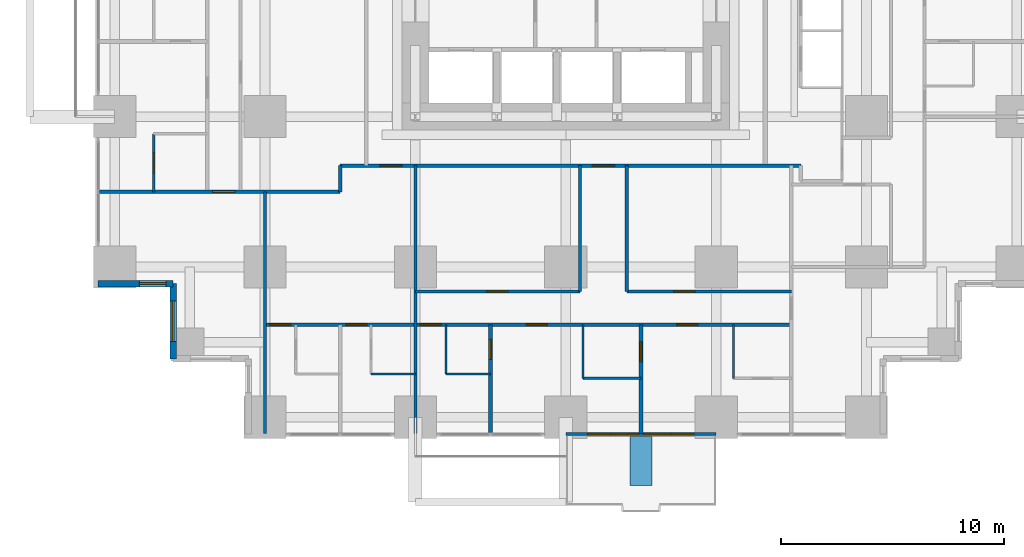
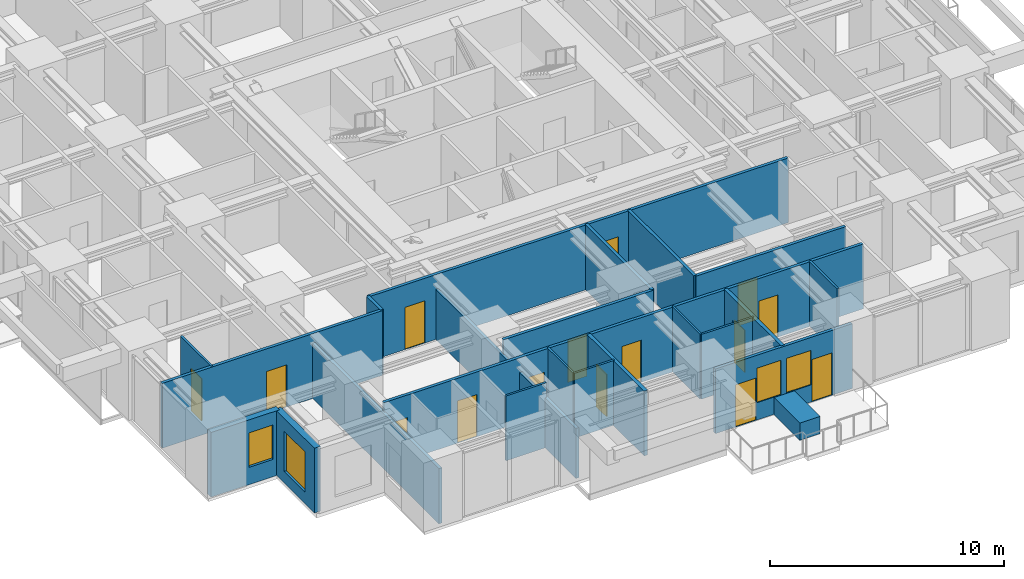
# One storey, part 8 of 14: 23 walls, 15 doors, 4 windows, 19 openings.
"""IFC4 building model written with IfcOpenShell, lengths in metres."""

from ifc_helpers import new_model, si_unit, direction, frame, frame_2d, origin, place, context, subcontext, project, spatial, rectangle, extrude, material, layer, layer_set, type_object, element, fill, save


model = new_model("IFC4")

# Units and contexts
model_context = context("Model", 3, precision=1e-05, world=origin(), true_north=direction((0.0, 1.0)))
body_context = subcontext(model_context, "Body", "Model", "MODEL_VIEW")
ifc_project = project(units=[si_unit("LENGTHUNIT", "METRE"), si_unit("AREAUNIT", "SQUARE_METRE"), si_unit("VOLUMEUNIT", "CUBIC_METRE"), si_unit("PLANEANGLEUNIT", "RADIAN"), si_unit("MASSUNIT", "GRAM", prefix="KILO")], contexts=[model_context])

# Site, building, storey
site_placement = place(None, origin())
site = spatial("IfcSite", under=ifc_project, at=site_placement, CompositionType="ELEMENT")
building_placement = place(site_placement, origin())
building = spatial("IfcBuilding", under=site, at=building_placement, Name="Nyansa Garden Tower", CompositionType="ELEMENT")
storey_placement = place(building_placement, frame((0.0, 0.0, 28.800048828125)))
storey = spatial("IfcBuildingStorey", under=building, at=storey_placement, Name="L07", CompositionType="ELEMENT", Elevation=28.800048828125)

# Wall, opening, door
ifc_material_1 = material(Name="Dense blockwork, plastered both sides, 55 dB", Category="masonry")
ifc_layer_1 = layer(ifc_material_1, 0.175048828125)
ifc_layer_set_1 = layer_set([ifc_layer_1], Name="Acoustic party wall PW175")
wall_type_1 = type_object("IfcWallType", Name="Acoustic party wall PW175", PredefinedType="PARTITIONING", material=ifc_layer_set_1)
wall_1_placement = place(storey_placement, frame((16.875, -0.73388671875, 0.0), z_axis=(0.0, 0.0, 1.0), x_axis=(0.0, 1.0, 0.0)))
wall_1 = element("IfcWall", 1, at=wall_1_placement, inside=storey, type_object=wall_type_1, Name="Party wall", PredefinedType="PARTITIONING", context=body_context, shape_type="SweptSolid", body=[
    extrude(rectangle(XDim=4.8837890625, YDim=0.175048828125, at=frame_2d((2.44189453125, 0.0))), origin(), (0.0, 0.0, 1.0), 3.375),
])
opening_1_placement = place(wall_1_placement, frame((3.333984375, 0.0, 0.0)))
opening_1 = element("IfcOpeningElement", 2, at=opening_1_placement, cuts=wall_1, Name="Opening D02", PredefinedType="OPENING", context=body_context, shape_type="SweptSolid", body=[
    extrude(rectangle(XDim=0.89990234375, YDim=2.199951171875, at=frame_2d((0.449951171875, 1.10009765625))), frame((0.0, 0.097412109375, 0.0), z_axis=(0.0, -1.0, 0.0), x_axis=(1.0, 0.0, 0.0)), (0.0, 0.0, 1.0), 0.195068359375),
])
ifc_material_2 = material(Name="Timber flush door", Category="wood")
door_type_1 = type_object("IfcDoorType", Name="En-suite door D02 900x2200", OperationType="SINGLE_SWING_RIGHT", PredefinedType="DOOR", material=ifc_material_2)
door_1_placement = place(opening_1_placement, origin())
door_1 = element("IfcDoor", 3, at=door_1_placement, inside=storey, type_object=door_type_1, Name="Door L07-028", OperationType="SINGLE_SWING_RIGHT", OverallHeight=2.199951171875, OverallWidth=0.89990234375, PredefinedType="DOOR", context=body_context, shape_type="SweptSolid", body=[
    extrude(rectangle(XDim=0.89990234375, YDim=2.199951171875, at=frame_2d((0.449951171875, 1.10009765625))), frame((0.0, 0.02490234375, 0.0), z_axis=(0.0, -1.0, 0.0), x_axis=(1.0, 0.0, 0.0)), (0.0, 0.0, 1.0), 0.050048828125),
])
fill(opening_1, door_1)

wall_2_placement = place(storey_placement, frame((23.625, -0.73388671875, 0.0), z_axis=(0.0, 0.0, 1.0), x_axis=(0.0, 1.0, 0.0)))
wall_2 = element("IfcWall", 4, at=wall_2_placement, inside=storey, type_object=wall_type_1, Name="Party wall", PredefinedType="PARTITIONING", context=body_context, shape_type="SweptSolid", body=[
    extrude(rectangle(XDim=4.8837890625, YDim=0.175048828125, at=frame_2d((2.44189453125, 0.0))), origin(), (0.0, 0.0, 1.0), 3.375),
])
opening_2_placement = place(wall_2_placement, frame((3.23388671875, 0.0, 0.0)))
opening_2 = element("IfcOpeningElement", 5, at=opening_2_placement, cuts=wall_2, Name="Opening D02", PredefinedType="OPENING", context=body_context, shape_type="SweptSolid", body=[
    extrude(rectangle(XDim=0.89990234375, YDim=2.199951171875, at=frame_2d((0.449951171875, 1.10009765625))), frame((0.0, 0.097412109375, 0.0), z_axis=(0.0, -1.0, 0.0), x_axis=(1.0, 0.0, 0.0)), (0.0, 0.0, 1.0), 0.195068359375),
])
door_2_placement = place(opening_2_placement, origin())
door_2 = element("IfcDoor", 6, at=door_2_placement, inside=storey, type_object=door_type_1, Name="Door L07-026", OperationType="SINGLE_SWING_RIGHT", OverallHeight=2.199951171875, OverallWidth=0.89990234375, PredefinedType="DOOR", context=body_context, shape_type="SweptSolid", body=[
    extrude(rectangle(XDim=0.89990234375, YDim=2.199951171875, at=frame_2d((0.449951171875, 1.10009765625))), frame((0.0, 0.02490234375, 0.0), z_axis=(0.0, -1.0, 0.0), x_axis=(1.0, 0.0, 0.0)), (0.0, 0.0, 1.0), 0.050048828125),
])
fill(opening_2, door_2)

# Wall, openings, doors, windows
ifc_material_3 = material(Name="Black aluminium framed glazed screen", Category="aluminium")
ifc_layer_2 = layer(ifc_material_3, 0.14990234375)
ifc_layer_set_2 = layer_set([ifc_layer_2], Name="Balcony screen wall BW150")
wall_type_2 = type_object("IfcWallType", Name="Balcony screen wall BW150", PredefinedType="SOLIDWALL", material=ifc_layer_set_2)
wall_3_placement = place(storey_placement, frame((27.0, -0.75, 0.0), z_axis=(0.0, 0.0, 1.0), x_axis=(-1.0, 0.0, 0.0)))
wall_3 = element("IfcWall", 7, at=wall_3_placement, inside=storey, type_object=wall_type_2, Name="Glazed screen wall L07 S", PredefinedType="SOLIDWALL", context=body_context, shape_type="SweptSolid", body=[
    extrude(rectangle(XDim=6.75, YDim=0.14990234375, at=frame_2d((3.375, 0.0))), origin(), (0.0, 0.0, 1.0), 3.375),
])
opening_3_placement = place(wall_3_placement, frame((0.995849609375, 0.0, 0.0)))
opening_3 = element("IfcOpeningElement", 8, at=opening_3_placement, cuts=wall_3, Name="Opening D20", PredefinedType="OPENING", context=body_context, shape_type="SweptSolid", body=[
    extrude(rectangle(XDim=1.0, YDim=2.199951171875, at=frame_2d((0.5, 1.10009765625))), frame((0.0, 0.0849609375, 0.0), z_axis=(0.0, -1.0, 0.0), x_axis=(1.0, 0.0, 0.0)), (0.0, 0.0, 1.0), 0.169921875),
])
opening_4_placement = place(wall_3_placement, frame((2.041748046875, 0.0, 0.89990234375)))
opening_4 = element("IfcOpeningElement", 9, at=opening_4_placement, cuts=wall_3, Name="Opening W6", PredefinedType="OPENING", context=body_context, shape_type="SweptSolid", body=[
    extrude(rectangle(XDim=1.199951171875, YDim=1.800048828125, at=frame_2d((0.60009765625, 0.89990234375))), frame((0.0, 0.0849609375, 0.0), z_axis=(0.0, -1.0, 0.0), x_axis=(1.0, 0.0, 0.0)), (0.0, 0.0, 1.0), 0.169921875),
])
opening_5_placement = place(wall_3_placement, frame((4.754150390625, 0.0, 0.0)))
opening_5 = element("IfcOpeningElement", 10, at=opening_5_placement, cuts=wall_3, Name="Opening D20", PredefinedType="OPENING", context=body_context, shape_type="SweptSolid", body=[
    extrude(rectangle(XDim=1.0, YDim=2.199951171875, at=frame_2d((0.5, 1.10009765625))), frame((0.0, 0.0849609375, 0.0), z_axis=(0.0, -1.0, 0.0), x_axis=(1.0, 0.0, 0.0)), (0.0, 0.0, 1.0), 0.169921875),
])
opening_6_placement = place(wall_3_placement, frame((3.50830078125, 0.0, 0.89990234375)))
opening_6 = element("IfcOpeningElement", 11, at=opening_6_placement, cuts=wall_3, Name="Opening W6", PredefinedType="OPENING", context=body_context, shape_type="SweptSolid", body=[
    extrude(rectangle(XDim=1.199951171875, YDim=1.800048828125, at=frame_2d((0.60009765625, 0.89990234375))), frame((0.0, 0.0849609375, 0.0), z_axis=(0.0, -1.0, 0.0), x_axis=(1.0, 0.0, 0.0)), (0.0, 0.0, 1.0), 0.169921875),
])
ifc_material_4 = material(Name="Black aluminium framed glazed door", Category="aluminium")
door_type_2 = type_object("IfcDoorType", Name="Balcony door D20 1000x2200", OperationType="NOTDEFINED", PredefinedType="DOOR", material=ifc_material_4)
door_3_placement = place(opening_3_placement, origin())
door_3 = element("IfcDoor", 12, at=door_3_placement, inside=storey, type_object=door_type_2, Name="Balcony door L07", OperationType="SINGLE_SWING_LEFT", OverallHeight=2.199951171875, OverallWidth=1.0, PredefinedType="DOOR", context=body_context, shape_type="SweptSolid", body=[
    extrude(rectangle(XDim=1.0, YDim=2.199951171875, at=frame_2d((0.5, 1.10009765625))), frame((0.0, 0.02490234375, 0.0), z_axis=(0.0, -1.0, 0.0), x_axis=(1.0, 0.0, 0.0)), (0.0, 0.0, 1.0), 0.050048828125),
])
fill(opening_3, door_3)
door_4_placement = place(opening_5_placement, origin())
door_4 = element("IfcDoor", 13, at=door_4_placement, inside=storey, type_object=door_type_2, Name="Balcony door L07", OperationType="SINGLE_SWING_RIGHT", OverallHeight=2.199951171875, OverallWidth=1.0, PredefinedType="DOOR", context=body_context, shape_type="SweptSolid", body=[
    extrude(rectangle(XDim=1.0, YDim=2.199951171875, at=frame_2d((0.5, 1.10009765625))), frame((0.0, 0.02490234375, 0.0), z_axis=(0.0, -1.0, 0.0), x_axis=(1.0, 0.0, 0.0)), (0.0, 0.0, 1.0), 0.050048828125),
])
fill(opening_5, door_4)
ifc_material_5 = material(Name="Black aluminium frame, dark tinted double glazing", Category="aluminium")
window_type_1 = type_object("IfcWindowType", Name="Balcony window W6 1200x1800", PartitioningType="SINGLE_PANEL", PredefinedType="WINDOW", material=ifc_material_5)
window_1_placement = place(opening_4_placement, origin())
window_1 = element("IfcWindow", 14, at=window_1_placement, inside=storey, type_object=window_type_1, Name="Window L07", OverallHeight=1.800048828125, OverallWidth=1.199951171875, PartitioningType="SINGLE_PANEL", PredefinedType="WINDOW", context=body_context, shape_type="SweptSolid", body=[
    extrude(rectangle(XDim=1.199951171875, YDim=1.800048828125, at=frame_2d((0.60009765625, 0.89990234375))), frame((0.0, 0.030029296875, 0.0), z_axis=(0.0, -1.0, 0.0), x_axis=(1.0, 0.0, 0.0)), (0.0, 0.0, 1.0), 0.06005859375),
])
fill(opening_4, window_1)
window_2_placement = place(opening_6_placement, origin())
window_2 = element("IfcWindow", 15, at=window_2_placement, inside=storey, type_object=window_type_1, Name="Window L07", OverallHeight=1.800048828125, OverallWidth=1.199951171875, PartitioningType="SINGLE_PANEL", PredefinedType="WINDOW", context=body_context, shape_type="SweptSolid", body=[
    extrude(rectangle(XDim=1.199951171875, YDim=1.800048828125, at=frame_2d((0.60009765625, 0.89990234375))), frame((0.0, 0.030029296875, 0.0), z_axis=(0.0, -1.0, 0.0), x_axis=(1.0, 0.0, 0.0)), (0.0, 0.0, 1.0), 0.06005859375),
])
fill(opening_6, window_2)

# Wall, opening, door
ifc_material_6 = material(Name="Blockwork, plastered both sides", Category="masonry")
ifc_layer_3 = layer(ifc_material_6, 0.14990234375)
ifc_layer_set_3 = layer_set([ifc_layer_3], Name="Partition PW150")
wall_type_3 = type_object("IfcWallType", Name="Partition PW150", PredefinedType="PARTITIONING", material=ifc_layer_set_3)
wall_4_placement = place(storey_placement, frame((-0.73388671875, 10.125, 0.0), z_axis=(0.0, 0.0, 1.0), x_axis=(1.0, 0.0, 0.0)))
wall_4 = element("IfcWall", 16, at=wall_4_placement, inside=storey, type_object=wall_type_3, Name="Partition", PredefinedType="PARTITIONING", context=body_context, shape_type="SweptSolid", body=[
    extrude(rectangle(XDim=10.85888671875, YDim=0.14990234375, at=frame_2d((5.429443359375, 0.0))), origin(), (0.0, 0.0, 1.0), 3.375),
])
opening_7_placement = place(wall_4_placement, frame((5.134033203125, 0.0, 0.0)))
opening_7 = element("IfcOpeningElement", 17, at=opening_7_placement, cuts=wall_4, Name="Opening D03", PredefinedType="OPENING", context=body_context, shape_type="SweptSolid", body=[
    extrude(rectangle(XDim=1.0, YDim=2.199951171875, at=frame_2d((0.5, 1.10009765625))), frame((0.0, 0.0849609375, 0.0), z_axis=(0.0, -1.0, 0.0), x_axis=(1.0, 0.0, 0.0)), (0.0, 0.0, 1.0), 0.169921875),
])
ifc_material_7 = material(Name="Timber flush door, 60 minute fire resisting", Category="wood")
door_type_3 = type_object("IfcDoorType", Name="Cluster entrance door D03 1000x2200", OperationType="SINGLE_SWING_LEFT", PredefinedType="DOOR", material=ifc_material_7)
door_5_placement = place(opening_7_placement, origin())
door_5 = element("IfcDoor", 18, at=door_5_placement, inside=storey, type_object=door_type_3, Name="Door L07-017", OperationType="SINGLE_SWING_LEFT", OverallHeight=2.199951171875, OverallWidth=1.0, PredefinedType="DOOR", context=body_context, shape_type="SweptSolid", body=[
    extrude(rectangle(XDim=1.0, YDim=2.199951171875, at=frame_2d((0.5, 1.10009765625))), frame((0.0, 0.02490234375, 0.0), z_axis=(0.0, -1.0, 0.0), x_axis=(1.0, 0.0, 0.0)), (0.0, 0.0, 1.0), 0.050048828125),
])
fill(opening_7, door_5)

# Wall
wall_5_placement = place(storey_placement, frame((6.75, -0.73388671875, 0.0), z_axis=(0.0, 0.0, 1.0), x_axis=(0.0, 1.0, 0.0)))
element("IfcWall", 19, at=wall_5_placement, inside=storey, type_object=wall_type_3, Name="Partition", PredefinedType="PARTITIONING", context=body_context, shape_type="SweptSolid", body=[
    extrude(rectangle(XDim=10.85888671875, YDim=0.14990234375, at=frame_2d((5.429443359375, 0.0))), origin(), (0.0, 0.0, 1.0), 2.876953125),
])

# Wall, openings, doors
wall_6_placement = place(storey_placement, frame((6.75, 4.14990234375, 0.0), z_axis=(0.0, 0.0, 1.0), x_axis=(1.0, 0.0, 0.0)))
wall_6 = element("IfcWall", 20, at=wall_6_placement, inside=storey, type_object=wall_type_3, Name="Partition", PredefinedType="PARTITIONING", context=body_context, shape_type="SweptSolid", body=[
    extrude(rectangle(XDim=23.625, YDim=0.14990234375, at=frame_2d((11.8125, 0.0))), origin(), (0.0, 0.0, 1.0), 3.375),
])
opening_8_placement = place(wall_6_placement, frame((0.199951171875, 0.0, 0.0)))
opening_8 = element("IfcOpeningElement", 21, at=opening_8_placement, cuts=wall_6, Name="Opening D01", PredefinedType="OPENING", context=body_context, shape_type="SweptSolid", body=[
    extrude(rectangle(XDim=0.949951171875, YDim=2.199951171875, at=frame_2d((0.47509765625, 1.10009765625))), frame((0.0, 0.0849609375, 0.0), z_axis=(0.0, -1.0, 0.0), x_axis=(1.0, 0.0, 0.0)), (0.0, 0.0, 1.0), 0.169921875),
])
opening_9_placement = place(wall_6_placement, frame((3.625, 0.0, 0.0)))
opening_9 = element("IfcOpeningElement", 22, at=opening_9_placement, cuts=wall_6, Name="Opening D01", PredefinedType="OPENING", context=body_context, shape_type="SweptSolid", body=[
    extrude(rectangle(XDim=0.949951171875, YDim=2.199951171875, at=frame_2d((0.47509765625, 1.10009765625))), frame((0.0, 0.0849609375, 0.0), z_axis=(0.0, -1.0, 0.0), x_axis=(1.0, 0.0, 0.0)), (0.0, 0.0, 1.0), 0.169921875),
])
opening_10_placement = place(wall_6_placement, frame((18.47509765625, 0.0, 0.0)))
opening_10 = element("IfcOpeningElement", 23, at=opening_10_placement, cuts=wall_6, Name="Opening D14", PredefinedType="OPENING", context=body_context, shape_type="SweptSolid", body=[
    extrude(rectangle(XDim=0.949951171875, YDim=2.199951171875, at=frame_2d((0.47509765625, 1.10009765625))), frame((0.0, 0.0849609375, 0.0), z_axis=(0.0, -1.0, 0.0), x_axis=(1.0, 0.0, 0.0)), (0.0, 0.0, 1.0), 0.169921875),
])
opening_11_placement = place(wall_6_placement, frame((11.72509765625, 0.0, 0.0)))
opening_11 = element("IfcOpeningElement", 24, at=opening_11_placement, cuts=wall_6, Name="Opening D14", PredefinedType="OPENING", context=body_context, shape_type="SweptSolid", body=[
    extrude(rectangle(XDim=0.949951171875, YDim=2.199951171875, at=frame_2d((0.47509765625, 1.10009765625))), frame((0.0, 0.0849609375, 0.0), z_axis=(0.0, -1.0, 0.0), x_axis=(1.0, 0.0, 0.0)), (0.0, 0.0, 1.0), 0.169921875),
])
opening_12_placement = place(wall_6_placement, frame((6.949951171875, 0.0, 0.0)))
opening_12 = element("IfcOpeningElement", 25, at=opening_12_placement, cuts=wall_6, Name="Opening D14", PredefinedType="OPENING", context=body_context, shape_type="SweptSolid", body=[
    extrude(rectangle(XDim=0.949951171875, YDim=2.199951171875, at=frame_2d((0.47509765625, 1.10009765625))), frame((0.0, 0.0849609375, 0.0), z_axis=(0.0, -1.0, 0.0), x_axis=(1.0, 0.0, 0.0)), (0.0, 0.0, 1.0), 0.169921875),
])
ifc_material_8 = material(Name="Timber flush door, 30 minute fire resisting", Category="wood")
door_type_4 = type_object("IfcDoorType", Name="Bedroom door D01 950x2200", OperationType="SINGLE_SWING_LEFT", PredefinedType="DOOR", material=ifc_material_8)
door_6_placement = place(opening_8_placement, origin())
door_6 = element("IfcDoor", 26, at=door_6_placement, inside=storey, type_object=door_type_4, Name="Door L07-018", OperationType="SINGLE_SWING_LEFT", OverallHeight=2.199951171875, OverallWidth=0.949951171875, PredefinedType="DOOR", context=body_context, shape_type="SweptSolid", body=[
    extrude(rectangle(XDim=0.949951171875, YDim=2.199951171875, at=frame_2d((0.47509765625, 1.10009765625))), frame((0.0, 0.02490234375, 0.0), z_axis=(0.0, -1.0, 0.0), x_axis=(1.0, 0.0, 0.0)), (0.0, 0.0, 1.0), 0.050048828125),
])
fill(opening_8, door_6)
door_7_placement = place(opening_9_placement, origin())
door_7 = element("IfcDoor", 27, at=door_7_placement, inside=storey, type_object=door_type_4, Name="Door L07-020", OperationType="SINGLE_SWING_LEFT", OverallHeight=2.199951171875, OverallWidth=0.949951171875, PredefinedType="DOOR", context=body_context, shape_type="SweptSolid", body=[
    extrude(rectangle(XDim=0.949951171875, YDim=2.199951171875, at=frame_2d((0.47509765625, 1.10009765625))), frame((0.0, 0.02490234375, 0.0), z_axis=(0.0, -1.0, 0.0), x_axis=(1.0, 0.0, 0.0)), (0.0, 0.0, 1.0), 0.050048828125),
])
fill(opening_9, door_7)
ifc_material_9 = material(Name="Timber flush door, 60 minute fire resisting, self-closing", Category="wood")
door_type_5 = type_object("IfcDoorType", Name="Studio entrance door D14 950x2200", OperationType="SINGLE_SWING_LEFT", PredefinedType="DOOR", material=ifc_material_9)
door_8_placement = place(opening_10_placement, origin())
door_8 = element("IfcDoor", 28, at=door_8_placement, inside=storey, type_object=door_type_5, Name="Door L07-023", OperationType="SINGLE_SWING_LEFT", OverallHeight=2.199951171875, OverallWidth=0.949951171875, PredefinedType="DOOR", context=body_context, shape_type="SweptSolid", body=[
    extrude(rectangle(XDim=0.949951171875, YDim=2.199951171875, at=frame_2d((0.47509765625, 1.10009765625))), frame((0.0, 0.02490234375, 0.0), z_axis=(0.0, -1.0, 0.0), x_axis=(1.0, 0.0, 0.0)), (0.0, 0.0, 1.0), 0.050048828125),
])
fill(opening_10, door_8)
door_9_placement = place(opening_11_placement, origin())
door_9 = element("IfcDoor", 29, at=door_9_placement, inside=storey, type_object=door_type_5, Name="Door L07-025", OperationType="SINGLE_SWING_LEFT", OverallHeight=2.199951171875, OverallWidth=0.949951171875, PredefinedType="DOOR", context=body_context, shape_type="SweptSolid", body=[
    extrude(rectangle(XDim=0.949951171875, YDim=2.199951171875, at=frame_2d((0.47509765625, 1.10009765625))), frame((0.0, 0.02490234375, 0.0), z_axis=(0.0, -1.0, 0.0), x_axis=(1.0, 0.0, 0.0)), (0.0, 0.0, 1.0), 0.050048828125),
])
fill(opening_11, door_9)
door_10_placement = place(opening_12_placement, origin())
door_10 = element("IfcDoor", 30, at=door_10_placement, inside=storey, type_object=door_type_5, Name="Door L07-027", OperationType="SINGLE_SWING_LEFT", OverallHeight=2.199951171875, OverallWidth=0.949951171875, PredefinedType="DOOR", context=body_context, shape_type="SweptSolid", body=[
    extrude(rectangle(XDim=0.949951171875, YDim=2.199951171875, at=frame_2d((0.47509765625, 1.10009765625))), frame((0.0, 0.02490234375, 0.0), z_axis=(0.0, -1.0, 0.0), x_axis=(1.0, 0.0, 0.0)), (0.0, 0.0, 1.0), 0.050048828125),
])
fill(opening_12, door_10)

# Wall
wall_7_placement = place(storey_placement, frame((10.125, 10.125, 0.0), z_axis=(0.0, 0.0, 1.0), x_axis=(0.0, 1.0, 0.0)))
element("IfcWall", 31, at=wall_7_placement, inside=storey, type_object=wall_type_3, Name="Partition", PredefinedType="PARTITIONING", context=body_context, shape_type="SweptSolid", body=[
    extrude(rectangle(XDim=1.175048828125, YDim=0.14990234375, at=frame_2d((0.58740234375, 0.0))), origin(), (0.0, 0.0, 1.0), 3.375),
])

# Wall, openings, doors
wall_8_placement = place(storey_placement, frame((10.125, 11.300048828125, 0.0), z_axis=(0.0, 0.0, 1.0), x_axis=(1.0, 0.0, 0.0)))
wall_8 = element("IfcWall", 32, at=wall_8_placement, inside=storey, type_object=wall_type_3, Name="Partition", PredefinedType="PARTITIONING", context=body_context, shape_type="SweptSolid", body=[
    extrude(rectangle(XDim=20.675048828125, YDim=0.14990234375, at=frame_2d((10.33740234375, 0.0))), origin(), (0.0, 0.0, 1.0), 3.375),
])
opening_13_placement = place(wall_8_placement, frame((1.77490234375, 0.0, 0.0)))
opening_13 = element("IfcOpeningElement", 33, at=opening_13_placement, cuts=wall_8, Name="Opening D03", PredefinedType="OPENING", context=body_context, shape_type="SweptSolid", body=[
    extrude(rectangle(XDim=1.0, YDim=2.199951171875, at=frame_2d((0.5, 1.10009765625))), frame((0.0, 0.0849609375, 0.0), z_axis=(0.0, -1.0, 0.0), x_axis=(1.0, 0.0, 0.0)), (0.0, 0.0, 1.0), 0.169921875),
])
opening_14_placement = place(wall_8_placement, frame((11.3125, 0.0, 0.0)))
opening_14 = element("IfcOpeningElement", 34, at=opening_14_placement, cuts=wall_8, Name="Opening D03", PredefinedType="OPENING", context=body_context, shape_type="SweptSolid", body=[
    extrude(rectangle(XDim=1.0, YDim=2.199951171875, at=frame_2d((0.5, 1.10009765625))), frame((0.0, 0.0849609375, 0.0), z_axis=(0.0, -1.0, 0.0), x_axis=(1.0, 0.0, 0.0)), (0.0, 0.0, 1.0), 0.169921875),
])
door_11_placement = place(opening_13_placement, origin())
door_11 = element("IfcDoor", 35, at=door_11_placement, inside=storey, type_object=door_type_3, Name="Door L07-022", OperationType="SINGLE_SWING_LEFT", OverallHeight=2.199951171875, OverallWidth=1.0, PredefinedType="DOOR", context=body_context, shape_type="SweptSolid", body=[
    extrude(rectangle(XDim=1.0, YDim=2.199951171875, at=frame_2d((0.5, 1.10009765625))), frame((0.0, 0.02490234375, 0.0), z_axis=(0.0, -1.0, 0.0), x_axis=(1.0, 0.0, 0.0)), (0.0, 0.0, 1.0), 0.050048828125),
])
fill(opening_13, door_11)
door_12_placement = place(opening_14_placement, origin())
door_12 = element("IfcDoor", 36, at=door_12_placement, inside=storey, type_object=door_type_3, Name="Door L07-029", OperationType="SINGLE_SWING_LEFT", OverallHeight=2.199951171875, OverallWidth=1.0, PredefinedType="DOOR", context=body_context, shape_type="SweptSolid", body=[
    extrude(rectangle(XDim=1.0, YDim=2.199951171875, at=frame_2d((0.5, 1.10009765625))), frame((0.0, 0.02490234375, 0.0), z_axis=(0.0, -1.0, 0.0), x_axis=(1.0, 0.0, 0.0)), (0.0, 0.0, 1.0), 0.050048828125),
])
fill(opening_14, door_12)

# Wall
wall_9_placement = place(storey_placement, frame((13.5, -0.73388671875, 0.0), z_axis=(0.0, 0.0, 1.0), x_axis=(0.0, 1.0, 0.0)))
element("IfcWall", 37, at=wall_9_placement, inside=storey, type_object=wall_type_3, Name="Partition", PredefinedType="PARTITIONING", context=body_context, shape_type="SweptSolid", body=[
    extrude(rectangle(XDim=12.033935546875, YDim=0.14990234375, at=frame_2d((6.01708984375, 0.0))), origin(), (0.0, 0.0, 1.0), 2.60986328125),
])

# Wall, opening, door
wall_10_placement = place(storey_placement, frame((13.5, 5.64990234375, 0.0), z_axis=(0.0, 0.0, 1.0), x_axis=(1.0, 0.0, 0.0)))
wall_10 = element("IfcWall", 38, at=wall_10_placement, inside=storey, type_object=wall_type_3, Name="Partition", PredefinedType="PARTITIONING", context=body_context, shape_type="SweptSolid", body=[
    extrude(rectangle(XDim=7.387451171875, YDim=0.14990234375, at=frame_2d((3.69384765625, 0.0))), origin(), (0.0, 0.0, 1.0), 3.375),
])
opening_15_placement = place(wall_10_placement, frame((3.199951171875, 0.0, 0.0)))
opening_15 = element("IfcOpeningElement", 39, at=opening_15_placement, cuts=wall_10, Name="Opening D01", PredefinedType="OPENING", context=body_context, shape_type="SweptSolid", body=[
    extrude(rectangle(XDim=0.949951171875, YDim=2.199951171875, at=frame_2d((0.47509765625, 1.10009765625))), frame((0.0, 0.0849609375, 0.0), z_axis=(0.0, -1.0, 0.0), x_axis=(1.0, 0.0, 0.0)), (0.0, 0.0, 1.0), 0.169921875),
])
door_13_placement = place(opening_15_placement, origin())
door_13 = element("IfcDoor", 40, at=door_13_placement, inside=storey, type_object=door_type_4, Name="Door L07-031", OperationType="SINGLE_SWING_LEFT", OverallHeight=2.199951171875, OverallWidth=0.949951171875, PredefinedType="DOOR", context=body_context, shape_type="SweptSolid", body=[
    extrude(rectangle(XDim=0.949951171875, YDim=2.199951171875, at=frame_2d((0.47509765625, 1.10009765625))), frame((0.0, 0.02490234375, 0.0), z_axis=(0.0, -1.0, 0.0), x_axis=(1.0, 0.0, 0.0)), (0.0, 0.0, 1.0), 0.050048828125),
])
fill(opening_15, door_13)

# Wall
wall_11_placement = place(storey_placement, frame((20.886962890625, 5.64990234375, 0.0), z_axis=(0.0, 0.0, 1.0), x_axis=(0.0, 1.0, 0.0)))
element("IfcWall", 41, at=wall_11_placement, inside=storey, type_object=wall_type_3, Name="Partition", PredefinedType="PARTITIONING", context=body_context, shape_type="SweptSolid", body=[
    extrude(rectangle(XDim=5.650146484375, YDim=0.14990234375, at=frame_2d((2.8251953125, 0.0))), origin(), (0.0, 0.0, 1.0), 3.375),
])

# Wall, opening, door
wall_12_placement = place(storey_placement, frame((22.987548828125, 5.64990234375, 0.0), z_axis=(0.0, 0.0, 1.0), x_axis=(1.0, 0.0, 0.0)))
wall_12 = element("IfcWall", 42, at=wall_12_placement, inside=storey, type_object=wall_type_3, Name="Partition", PredefinedType="PARTITIONING", context=body_context, shape_type="SweptSolid", body=[
    extrude(rectangle(XDim=7.387451171875, YDim=0.14990234375, at=frame_2d((3.69384765625, 0.0))), origin(), (0.0, 0.0, 1.0), 3.375),
])
opening_16_placement = place(wall_12_placement, frame((2.10009765625, 0.0, 0.0)))
opening_16 = element("IfcOpeningElement", 43, at=opening_16_placement, cuts=wall_12, Name="Opening D01", PredefinedType="OPENING", context=body_context, shape_type="SweptSolid", body=[
    extrude(rectangle(XDim=0.949951171875, YDim=2.199951171875, at=frame_2d((0.47509765625, 1.10009765625))), frame((0.0, 0.0849609375, 0.0), z_axis=(0.0, -1.0, 0.0), x_axis=(1.0, 0.0, 0.0)), (0.0, 0.0, 1.0), 0.169921875),
])
door_14_placement = place(opening_16_placement, origin())
door_14 = element("IfcDoor", 44, at=door_14_placement, inside=storey, type_object=door_type_4, Name="Door L07-030", OperationType="SINGLE_SWING_LEFT", OverallHeight=2.199951171875, OverallWidth=0.949951171875, PredefinedType="DOOR", context=body_context, shape_type="SweptSolid", body=[
    extrude(rectangle(XDim=0.949951171875, YDim=2.199951171875, at=frame_2d((0.47509765625, 1.10009765625))), frame((0.0, 0.02490234375, 0.0), z_axis=(0.0, -1.0, 0.0), x_axis=(1.0, 0.0, 0.0)), (0.0, 0.0, 1.0), 0.050048828125),
])
fill(opening_16, door_14)

# Wall
wall_13_placement = place(storey_placement, frame((22.988037109375, 5.64990234375, 0.0), z_axis=(0.0, 0.0, 1.0), x_axis=(0.0, 1.0, 0.0)))
element("IfcWall", 45, at=wall_13_placement, inside=storey, type_object=wall_type_3, Name="Partition", PredefinedType="PARTITIONING", context=body_context, shape_type="SweptSolid", body=[
    extrude(rectangle(XDim=5.650146484375, YDim=0.14990234375, at=frame_2d((2.8251953125, 0.0))), origin(), (0.0, 0.0, 1.0), 3.375),
])

# Wall, opening, window
ifc_material_10 = material(Name="Turquoise glazed tile on concrete blockwork", Category="masonry")
ifc_layer_4 = layer(ifc_material_10, 0.300048828125)
ifc_layer_set_4 = layer_set([ifc_layer_4], Name="Tiled corner wall TW300")
wall_type_4 = type_object("IfcWallType", Name="Tiled corner wall TW300", PredefinedType="SOLIDWALL", material=ifc_layer_set_4)
wall_14_placement = place(storey_placement, frame((-0.75, 6.0, 0.0), z_axis=(0.0, 0.0, 1.0), x_axis=(1.0, 0.0, 0.0)))
wall_14 = element("IfcWall", 46, at=wall_14_placement, inside=storey, type_object=wall_type_4, Name="Tiled corner wall L07", PredefinedType="SOLIDWALL", context=body_context, shape_type="SweptSolid", body=[
    extrude(rectangle(XDim=3.375, YDim=0.300048828125, at=frame_2d((1.6875, 0.0))), origin(), (0.0, 0.0, 1.0), 3.375),
])
opening_17_placement = place(wall_14_placement, frame((1.857421875, 0.0, 0.89990234375)))
opening_17 = element("IfcOpeningElement", 47, at=opening_17_placement, cuts=wall_14, Name="Opening W4", PredefinedType="OPENING", context=body_context, shape_type="SweptSolid", body=[
    extrude(rectangle(XDim=1.199951171875, YDim=1.800048828125, at=frame_2d((0.60009765625, 0.89990234375))), frame((0.0, 0.159912109375, 0.0), z_axis=(0.0, -1.0, 0.0), x_axis=(1.0, 0.0, 0.0)), (0.0, 0.0, 1.0), 0.320068359375),
])
ifc_material_11 = material(Name="Black aluminium frame, dark tinted double glazing", Category="aluminium")
window_type_2 = type_object("IfcWindowType", Name="Window W4 1200x1800", PartitioningType="SINGLE_PANEL", PredefinedType="WINDOW", material=ifc_material_11)
window_3_placement = place(opening_17_placement, origin())
window_3 = element("IfcWindow", 48, at=window_3_placement, inside=storey, type_object=window_type_2, Name="Corner window L07", OverallHeight=1.800048828125, OverallWidth=1.199951171875, PartitioningType="SINGLE_PANEL", PredefinedType="WINDOW", context=body_context, shape_type="SweptSolid", body=[
    extrude(rectangle(XDim=1.199951171875, YDim=1.800048828125, at=frame_2d((0.60009765625, 0.89990234375))), frame((0.0, 0.030029296875, 0.0), z_axis=(0.0, -1.0, 0.0), x_axis=(1.0, 0.0, 0.0)), (0.0, 0.0, 1.0), 0.06005859375),
])
fill(opening_17, window_3)

wall_15_placement = place(storey_placement, frame((2.625, 6.0, 0.0), z_axis=(0.0, 0.0, 1.0), x_axis=(0.0, -1.0, 0.0)))
wall_15 = element("IfcWall", 49, at=wall_15_placement, inside=storey, type_object=wall_type_4, Name="Tiled corner wall L07", PredefinedType="SOLIDWALL", context=body_context, shape_type="SweptSolid", body=[
    extrude(rectangle(XDim=3.375, YDim=0.300048828125, at=frame_2d((1.6875, 0.0))), origin(), (0.0, 0.0, 1.0), 3.375),
])
opening_18_placement = place(wall_15_placement, frame((0.78759765625, 0.0, 0.60009765625)))
opening_18 = element("IfcOpeningElement", 50, at=opening_18_placement, cuts=wall_15, Name="Opening W2", PredefinedType="OPENING", context=body_context, shape_type="SweptSolid", body=[
    extrude(rectangle(XDim=1.800048828125, YDim=2.10009765625, at=frame_2d((0.89990234375, 1.050048828125))), frame((0.0, 0.159912109375, 0.0), z_axis=(0.0, -1.0, 0.0), x_axis=(1.0, 0.0, 0.0)), (0.0, 0.0, 1.0), 0.320068359375),
])
ifc_material_12 = material(Name="Black aluminium frame, dark tinted double glazing", Category="aluminium")
window_type_3 = type_object("IfcWindowType", Name="Window W2 1800x2100", PartitioningType="SINGLE_PANEL", PredefinedType="WINDOW", material=ifc_material_12)
window_4_placement = place(opening_18_placement, origin())
window_4 = element("IfcWindow", 51, at=window_4_placement, inside=storey, type_object=window_type_3, Name="Corner window L07", OverallHeight=2.10009765625, OverallWidth=1.800048828125, PartitioningType="SINGLE_PANEL", PredefinedType="WINDOW", context=body_context, shape_type="SweptSolid", body=[
    extrude(rectangle(XDim=1.800048828125, YDim=2.10009765625, at=frame_2d((0.89990234375, 1.050048828125))), frame((0.0, 0.030029296875, 0.0), z_axis=(0.0, -1.0, 0.0), x_axis=(1.0, 0.0, 0.0)), (0.0, 0.0, 1.0), 0.06005859375),
])
fill(opening_18, window_4)

# Wall
ifc_material_13 = material(Name="Concrete C40/50 planter, waterproofed", Category="concrete")
ifc_layer_5 = layer(ifc_material_13, 1.0)
ifc_layer_set_5 = layer_set([ifc_layer_5], Name="Tree planter TP1")
wall_type_5 = type_object("IfcWallType", Name="Tree planter TP1", PredefinedType="USERDEFINED", material=ifc_layer_set_5)
wall_16_placement = place(storey_placement, frame((23.625, -0.85009765625, 0.0), z_axis=(0.0, 0.0, 1.0), x_axis=(0.0, -1.0, 0.0)))
element("IfcWall", 52, at=wall_16_placement, inside=storey, type_object=wall_type_5, Name="Tree planter L07", ObjectType="TREE PLANTER", PredefinedType="USERDEFINED", context=body_context, shape_type="SweptSolid", body=[
    extrude(rectangle(XDim=2.199951171875, YDim=1.0, at=frame_2d((1.10009765625, 0.0))), origin(), (0.0, 0.0, 1.0), 0.89990234375),
])

# Wall, opening, door
ifc_material_14 = material(Name="Moisture resistant board on steel studs, tiled", Category="steel")
ifc_layer_6 = layer(ifc_material_14, 0.10009765625)
ifc_layer_set_6 = layer_set([ifc_layer_6], Name="Wet wall PW100")
wall_type_6 = type_object("IfcWallType", Name="Wet wall PW100", PredefinedType="PARTITIONING", material=ifc_layer_set_6)
wall_17_placement = place(storey_placement, frame((1.75, 10.125, 0.0), z_axis=(0.0, 0.0, 1.0), x_axis=(0.0, 1.0, 0.0)))
wall_17 = element("IfcWall", 53, at=wall_17_placement, inside=storey, type_object=wall_type_6, Name="Wet wall", PredefinedType="PARTITIONING", context=body_context, shape_type="SweptSolid", body=[
    extrude(rectangle(XDim=2.60009765625, YDim=0.10009765625, at=frame_2d((1.300048828125, 0.0))), origin(), (0.0, 0.0, 1.0), 3.375),
])
opening_19_placement = place(wall_17_placement, frame((0.85009765625, 0.0, 0.0)))
opening_19 = element("IfcOpeningElement", 54, at=opening_19_placement, cuts=wall_17, Name="Opening D02", PredefinedType="OPENING", context=body_context, shape_type="SweptSolid", body=[
    extrude(rectangle(XDim=0.89990234375, YDim=2.199951171875, at=frame_2d((0.449951171875, 1.10009765625))), frame((0.0, 0.06005859375, 0.0), z_axis=(0.0, -1.0, 0.0), x_axis=(1.0, 0.0, 0.0)), (0.0, 0.0, 1.0), 0.1201171875),
])
door_15_placement = place(opening_19_placement, origin())
door_15 = element("IfcDoor", 55, at=door_15_placement, inside=storey, type_object=door_type_1, Name="Door L07-059", OperationType="SINGLE_SWING_RIGHT", OverallHeight=2.199951171875, OverallWidth=0.89990234375, PredefinedType="DOOR", context=body_context, shape_type="SweptSolid", body=[
    extrude(rectangle(XDim=0.89990234375, YDim=2.199951171875, at=frame_2d((0.449951171875, 1.10009765625))), frame((0.0, 0.02490234375, 0.0), z_axis=(0.0, -1.0, 0.0), x_axis=(1.0, 0.0, 0.0)), (0.0, 0.0, 1.0), 0.050048828125),
])
fill(opening_19, door_15)

# Walls
wall_18_placement = place(storey_placement, frame((11.5, 1.949951171875, 0.0), z_axis=(0.0, 0.0, 1.0), x_axis=(1.0, 0.0, 0.0)))
element("IfcWall", 56, at=wall_18_placement, inside=storey, type_object=wall_type_6, Name="Wet wall", PredefinedType="PARTITIONING", context=body_context, shape_type="SweptSolid", body=[
    extrude(rectangle(XDim=2.0, YDim=0.10009765625, at=frame_2d((1.0, 0.0))), origin(), (0.0, 0.0, 1.0), 3.375),
])
wall_19_placement = place(storey_placement, frame((14.875, 1.949951171875, 0.0), z_axis=(0.0, 0.0, 1.0), x_axis=(0.0, 1.0, 0.0)))
element("IfcWall", 57, at=wall_19_placement, inside=storey, type_object=wall_type_6, Name="Wet wall", PredefinedType="PARTITIONING", context=body_context, shape_type="SweptSolid", body=[
    extrude(rectangle(XDim=2.199951171875, YDim=0.10009765625, at=frame_2d((1.10009765625, 0.0))), origin(), (0.0, 0.0, 1.0), 3.375),
])
wall_20_placement = place(storey_placement, frame((14.875, 1.949951171875, 0.0), z_axis=(0.0, 0.0, 1.0), x_axis=(1.0, 0.0, 0.0)))
element("IfcWall", 58, at=wall_20_placement, inside=storey, type_object=wall_type_6, Name="Wet wall", PredefinedType="PARTITIONING", context=body_context, shape_type="SweptSolid", body=[
    extrude(rectangle(XDim=2.0, YDim=0.10009765625, at=frame_2d((1.0, 0.0))), origin(), (0.0, 0.0, 1.0), 3.375),
])
wall_21_placement = place(storey_placement, frame((21.02490234375, 1.75, 0.0), z_axis=(0.0, 0.0, 1.0), x_axis=(0.0, 1.0, 0.0)))
element("IfcWall", 59, at=wall_21_placement, inside=storey, type_object=wall_type_6, Name="Wet wall", PredefinedType="PARTITIONING", context=body_context, shape_type="SweptSolid", body=[
    extrude(rectangle(XDim=2.39990234375, YDim=0.10009765625, at=frame_2d((1.199951171875, 0.0))), origin(), (0.0, 0.0, 1.0), 3.375),
])
wall_22_placement = place(storey_placement, frame((21.02490234375, 1.75, 0.0), z_axis=(0.0, 0.0, 1.0), x_axis=(1.0, 0.0, 0.0)))
element("IfcWall", 60, at=wall_22_placement, inside=storey, type_object=wall_type_6, Name="Wet wall", PredefinedType="PARTITIONING", context=body_context, shape_type="SweptSolid", body=[
    extrude(rectangle(XDim=2.60009765625, YDim=0.10009765625, at=frame_2d((1.300048828125, 0.0))), origin(), (0.0, 0.0, 1.0), 3.375),
])
wall_23_placement = place(storey_placement, frame((27.77490234375, 1.75, 0.0), z_axis=(0.0, 0.0, 1.0), x_axis=(0.0, 1.0, 0.0)))
element("IfcWall", 61, at=wall_23_placement, inside=storey, type_object=wall_type_6, Name="Wet wall", PredefinedType="PARTITIONING", context=body_context, shape_type="SweptSolid", body=[
    extrude(rectangle(XDim=2.39990234375, YDim=0.10009765625, at=frame_2d((1.199951171875, 0.0))), origin(), (0.0, 0.0, 1.0), 3.375),
])

save(model, "model.ifc")
